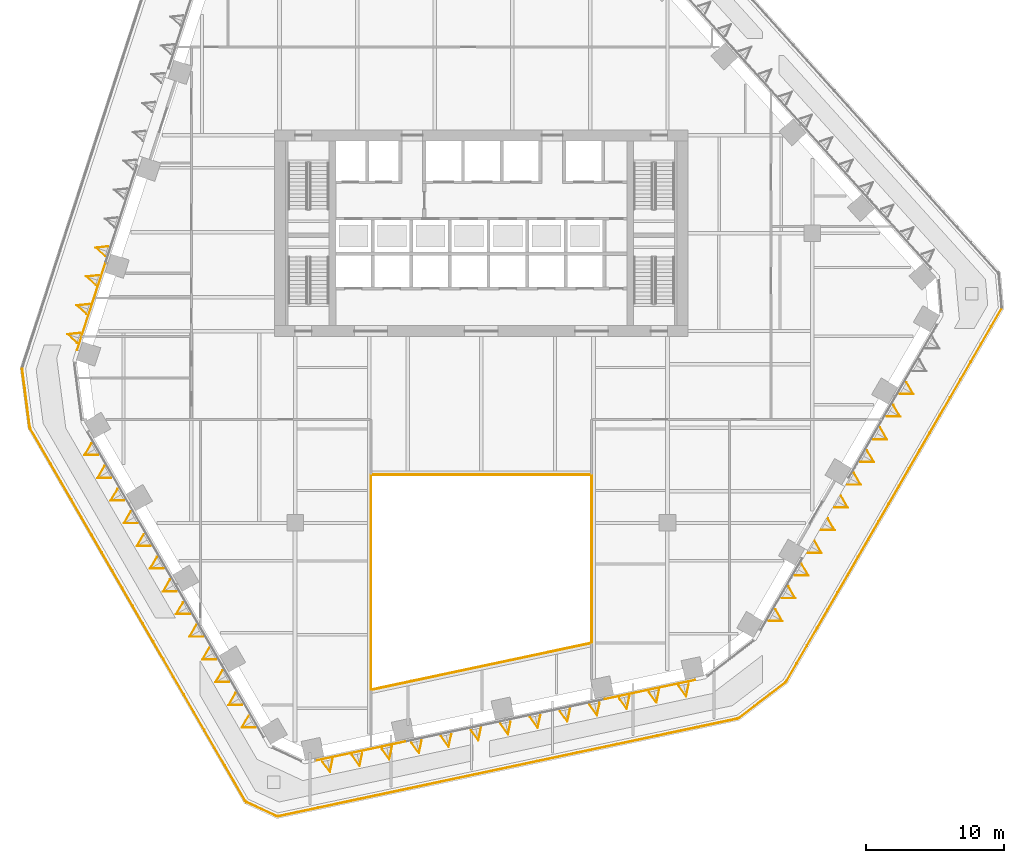
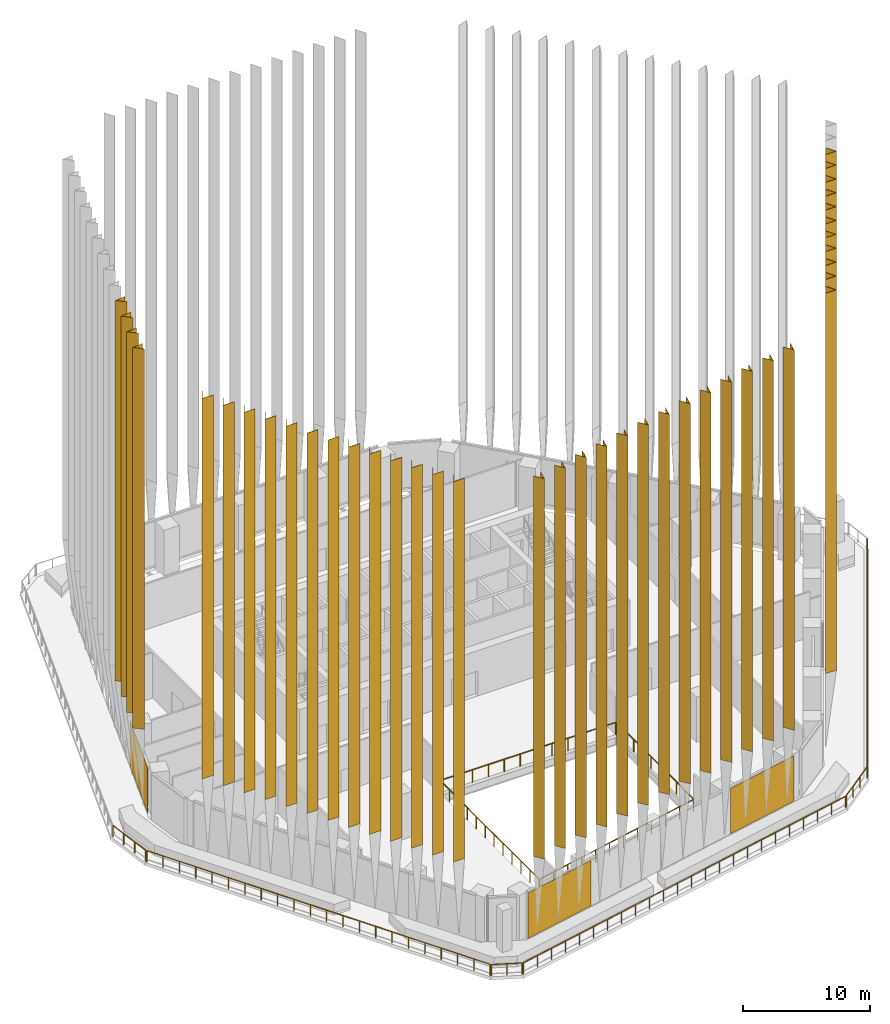
# One storey, part 17 of 27: 44 coverings, 10 railings, 2 elements without a shape of their own.
"""IFC4 building model written with IfcOpenShell, lengths in metres."""

from ifc_helpers import new_model, si_unit, direction, frame, origin, origin_2d, place, context, subcontext, project, spatial, polyline, rectangle, circle, outline, extrude, material, layer, layer_set, material_profile, profile_set, type_object, element, aggregate, save


model = new_model("IFC4")

# Units and contexts
model_context = context("Model", 3, precision=1e-05, world=origin(), true_north=direction((0.0, 1.0)))
body_context = subcontext(model_context, "Body", "Model", "MODEL_VIEW")
ifc_project = project(units=[si_unit("LENGTHUNIT", "METRE"), si_unit("AREAUNIT", "SQUARE_METRE"), si_unit("VOLUMEUNIT", "CUBIC_METRE"), si_unit("PLANEANGLEUNIT", "RADIAN"), si_unit("MASSUNIT", "GRAM", prefix="KILO")], contexts=[model_context])

# Site, building, storey
site_placement = place(None, origin())
site = spatial("IfcSite", under=ifc_project, at=site_placement, CompositionType="ELEMENT")
building_placement = place(site_placement, origin())
building = spatial("IfcBuilding", under=site, at=building_placement, Name="Isthmus Gate Tower", CompositionType="ELEMENT")
storey_placement = place(building_placement, frame((0.0, 0.0, 121.64990234375)))
storey = spatial("IfcBuildingStorey", under=building, at=storey_placement, Name="L29", CompositionType="ELEMENT", Elevation=121.64990234375)

# Railings
ifc_material_1 = material(Name="Toughened laminated glass with stainless steel handrail", Category="steel")
railing_type_1 = type_object("IfcRailingType", Name="Atrium glass guard 1200", PredefinedType="GUARDRAIL", material=ifc_material_1)
railing_1_placement = place(storey_placement, frame((-7.951171875, -25.6005859375, 0.0)))
element("IfcRailing", 1, at=railing_1_placement, inside=storey, type_object=railing_type_1, Name="L29 atrium glass guard 1", PredefinedType="GUARDRAIL", context=body_context, shape_type="SweptSolid", body=[
    extrude(circle(Radius=0.030029296875, at=origin_2d()), frame((0.0, 0.0, 1.169921875), z_axis=(0.978150911752, 0.207896113091, 0.0), x_axis=(-0.207896113091, 0.978150911752, 0.0)), (0.0, 0.0, 1.0), 16.257568359375),
    extrude(circle(Radius=0.02490234375, at=origin_2d()), origin(), (0.0, 0.0, 1.0), 1.139892578125),
    extrude(circle(Radius=0.02490234375, at=origin_2d()), frame((1.445556640625, 0.307373046875, 0.0)), (0.0, 0.0, 1.0), 1.139892578125),
    extrude(circle(Radius=0.02490234375, at=origin_2d()), frame((2.891357421875, 0.614501953125, 0.0)), (0.0, 0.0, 1.0), 1.139892578125),
    extrude(circle(Radius=0.02490234375, at=origin_2d()), frame((4.3369140625, 0.921875, 0.0)), (0.0, 0.0, 1.0), 1.139892578125),
    extrude(circle(Radius=0.02490234375, at=origin_2d()), frame((5.78271484375, 1.22900390625, 0.0)), (0.0, 0.0, 1.0), 1.139892578125),
    extrude(circle(Radius=0.02490234375, at=origin_2d()), frame((7.228271484375, 1.536376953125, 0.0)), (0.0, 0.0, 1.0), 1.139892578125),
    extrude(circle(Radius=0.02490234375, at=origin_2d()), frame((8.674072265625, 1.843505859375, 0.0)), (0.0, 0.0, 1.0), 1.139892578125),
    extrude(circle(Radius=0.02490234375, at=origin_2d()), frame((10.11962890625, 2.15087890625, 0.0)), (0.0, 0.0, 1.0), 1.139892578125),
    extrude(circle(Radius=0.02490234375, at=origin_2d()), frame((11.5654296875, 2.4580078125, 0.0)), (0.0, 0.0, 1.0), 1.139892578125),
    extrude(circle(Radius=0.02490234375, at=origin_2d()), frame((13.010986328125, 2.765380859375, 0.0)), (0.0, 0.0, 1.0), 1.139892578125),
    extrude(circle(Radius=0.02490234375, at=origin_2d()), frame((14.456787109375, 3.072509765625, 0.0)), (0.0, 0.0, 1.0), 1.139892578125),
    extrude(circle(Radius=0.02490234375, at=origin_2d()), frame((15.90234375, 3.3798828125, 0.0)), (0.0, 0.0, 1.0), 1.139892578125),
])
railing_2_placement = place(storey_placement, frame((8.0, -22.16015625, 0.0)))
element("IfcRailing", 2, at=railing_2_placement, inside=storey, type_object=railing_type_1, Name="L29 atrium glass guard 2", PredefinedType="GUARDRAIL", context=body_context, shape_type="SweptSolid", body=[
    extrude(circle(Radius=0.030029296875, at=origin_2d()), frame((0.0, 0.0, 1.169921875), z_axis=(0.0, 1.0, 0.0), x_axis=(-1.0, 0.0, 0.0)), (0.0, 0.0, 1.0), 12.110107421875),
    extrude(circle(Radius=0.02490234375, at=origin_2d()), origin(), (0.0, 0.0, 1.0), 1.139892578125),
    extrude(circle(Radius=0.02490234375, at=origin_2d()), frame((0.0, 1.345458984375, 0.0)), (0.0, 0.0, 1.0), 1.139892578125),
    extrude(circle(Radius=0.02490234375, at=origin_2d()), frame((0.0, 2.691162109375, 0.0)), (0.0, 0.0, 1.0), 1.139892578125),
    extrude(circle(Radius=0.02490234375, at=origin_2d()), frame((0.0, 4.03662109375, 0.0)), (0.0, 0.0, 1.0), 1.139892578125),
    extrude(circle(Radius=0.02490234375, at=origin_2d()), frame((0.0, 5.38232421875, 0.0)), (0.0, 0.0, 1.0), 1.139892578125),
    extrude(circle(Radius=0.02490234375, at=origin_2d()), frame((0.0, 6.727783203125, 0.0)), (0.0, 0.0, 1.0), 1.139892578125),
    extrude(circle(Radius=0.02490234375, at=origin_2d()), frame((0.0, 8.073486328125, 0.0)), (0.0, 0.0, 1.0), 1.139892578125),
    extrude(circle(Radius=0.02490234375, at=origin_2d()), frame((0.0, 9.4189453125, 0.0)), (0.0, 0.0, 1.0), 1.139892578125),
    extrude(circle(Radius=0.02490234375, at=origin_2d()), frame((0.0, 10.7646484375, 0.0)), (0.0, 0.0, 1.0), 1.139892578125),
    extrude(circle(Radius=0.02490234375, at=origin_2d()), frame((0.0, 12.110107421875, 0.0)), (0.0, 0.0, 1.0), 1.139892578125),
])
railing_3_placement = place(storey_placement, frame((7.949951171875, -10.0, 0.0)))
element("IfcRailing", 3, at=railing_3_placement, inside=storey, type_object=railing_type_1, Name="L29 atrium glass guard 3", PredefinedType="GUARDRAIL", context=body_context, shape_type="SweptSolid", body=[
    extrude(circle(Radius=0.030029296875, at=origin_2d()), frame((0.0, 0.0, 1.169921875), z_axis=(-1.0, 0.0, 0.0), x_axis=(0.0, -1.0, 0.0)), (0.0, 0.0, 1.0), 15.89990234375),
    extrude(circle(Radius=0.02490234375, at=origin_2d()), origin(), (0.0, 0.0, 1.0), 1.139892578125),
    extrude(circle(Radius=0.02490234375, at=origin_2d()), frame((-1.445556640625, 0.0, 0.0)), (0.0, 0.0, 1.0), 1.139892578125),
    extrude(circle(Radius=0.02490234375, at=origin_2d()), frame((-2.890869140625, 0.0, 0.0)), (0.0, 0.0, 1.0), 1.139892578125),
    extrude(circle(Radius=0.02490234375, at=origin_2d()), frame((-4.33642578125, 0.0, 0.0)), (0.0, 0.0, 1.0), 1.139892578125),
    extrude(circle(Radius=0.02490234375, at=origin_2d()), frame((-5.78173828125, 0.0, 0.0)), (0.0, 0.0, 1.0), 1.139892578125),
    extrude(circle(Radius=0.02490234375, at=origin_2d()), frame((-7.227294921875, 0.0, 0.0)), (0.0, 0.0, 1.0), 1.139892578125),
    extrude(circle(Radius=0.02490234375, at=origin_2d()), frame((-8.672607421875, 0.0, 0.0)), (0.0, 0.0, 1.0), 1.139892578125),
    extrude(circle(Radius=0.02490234375, at=origin_2d()), frame((-10.1181640625, 0.0, 0.0)), (0.0, 0.0, 1.0), 1.139892578125),
    extrude(circle(Radius=0.02490234375, at=origin_2d()), frame((-11.5634765625, 0.0, 0.0)), (0.0, 0.0, 1.0), 1.139892578125),
    extrude(circle(Radius=0.02490234375, at=origin_2d()), frame((-13.009033203125, 0.0, 0.0)), (0.0, 0.0, 1.0), 1.139892578125),
    extrude(circle(Radius=0.02490234375, at=origin_2d()), frame((-14.454345703125, 0.0, 0.0)), (0.0, 0.0, 1.0), 1.139892578125),
    extrude(circle(Radius=0.02490234375, at=origin_2d()), frame((-15.89990234375, 0.0, 0.0)), (0.0, 0.0, 1.0), 1.139892578125),
])
railing_4_placement = place(storey_placement, frame((-8.0, -10.050048828125, 0.0)))
element("IfcRailing", 4, at=railing_4_placement, inside=storey, type_object=railing_type_1, Name="L29 atrium glass guard 4", PredefinedType="GUARDRAIL", context=body_context, shape_type="SweptSolid", body=[
    extrude(circle(Radius=0.030029296875, at=origin_2d()), frame((0.0, 0.0, 1.169921875), z_axis=(0.0, -1.0, 0.0), x_axis=(1.0, 0.0, 0.0)), (0.0, 0.0, 1.0), 15.510986328125),
    extrude(circle(Radius=0.02490234375, at=origin_2d()), origin(), (0.0, 0.0, 1.0), 1.139892578125),
    extrude(circle(Radius=0.02490234375, at=origin_2d()), frame((0.0, -1.41015625, 0.0)), (0.0, 0.0, 1.0), 1.139892578125),
    extrude(circle(Radius=0.02490234375, at=origin_2d()), frame((0.0, -2.820068359375, 0.0)), (0.0, 0.0, 1.0), 1.139892578125),
    extrude(circle(Radius=0.02490234375, at=origin_2d()), frame((0.0, -4.230224609375, 0.0)), (0.0, 0.0, 1.0), 1.139892578125),
    extrude(circle(Radius=0.02490234375, at=origin_2d()), frame((0.0, -5.640380859375, 0.0)), (0.0, 0.0, 1.0), 1.139892578125),
    extrude(circle(Radius=0.02490234375, at=origin_2d()), frame((0.0, -7.050537109375, 0.0)), (0.0, 0.0, 1.0), 1.139892578125),
    extrude(circle(Radius=0.02490234375, at=origin_2d()), frame((0.0, -8.46044921875, 0.0)), (0.0, 0.0, 1.0), 1.139892578125),
    extrude(circle(Radius=0.02490234375, at=origin_2d()), frame((0.0, -9.87060546875, 0.0)), (0.0, 0.0, 1.0), 1.139892578125),
    extrude(circle(Radius=0.02490234375, at=origin_2d()), frame((0.0, -11.28076171875, 0.0)), (0.0, 0.0, 1.0), 1.139892578125),
    extrude(circle(Radius=0.02490234375, at=origin_2d()), frame((0.0, -12.69091796875, 0.0)), (0.0, 0.0, 1.0), 1.139892578125),
    extrude(circle(Radius=0.02490234375, at=origin_2d()), frame((0.0, -14.100830078125, 0.0)), (0.0, 0.0, 1.0), 1.139892578125),
    extrude(circle(Radius=0.02490234375, at=origin_2d()), frame((0.0, -15.510986328125, 0.0)), (0.0, 0.0, 1.0), 1.139892578125),
])

# Curtain wall, covering
ifc_material_2 = material(Name="Aluminium, pale champagne anodised", Category="aluminium")
ifc_layer_1 = layer(ifc_material_2, 0.199951171875)
ifc_layer_set_1 = layer_set([ifc_layer_1], Name="CW-1 UNITISED CURTAIN WALL 200 DEEP")
curtain_wall_type = type_object("IfcCurtainWallType", Name="CW-1 UNITISED CURTAIN WALL 200 DEEP", PredefinedType="NOTDEFINED", material=ifc_layer_set_1)
curtain_wall_1_placement = place(storey_placement, origin())
curtain_wall_1 = element("IfcCurtainWall", 5, at=curtain_wall_1_placement, inside=storey, type_object=curtain_wall_type, Name="CW-1 NW L29", PredefinedType="NOTDEFINED")
ifc_material_3 = material(Name="Aluminium composite panel, pale champagne anodised", Category="aluminium")
ifc_layer_2 = layer(ifc_material_3, 0.035888671875)
ifc_layer_set_2 = layer_set([ifc_layer_2], Name="CW-1 PALE METAL PANEL 36")
covering_type_1 = type_object("IfcCoveringType", Name="CW-1 PALE METAL PANEL 36", PredefinedType="CLADDING", material=ifc_layer_set_2)
covering_1_placement = place(storey_placement, frame((-28.28271484375, 2.173828125, 0.0), z_axis=(0.0, 0.0, 1.0), x_axis=(-0.309016994375, -0.951056516295, 0.0)))
covering_1 = element("IfcCovering", 6, at=covering_1_placement, type_object=covering_type_1, Name="CW-1 pale metal panel", PredefinedType="CLADDING", context=body_context, shape_type="SweptSolid", body=[
    extrude(rectangle(XDim=6.630859375, YDim=0.035888671875, at=origin_2d()), origin(), (0.0, 0.0, 1.0), 4.360107421875),
])
aggregate(curtain_wall_1, [covering_1])

# Curtain wall, coverings
curtain_wall_2_placement = place(storey_placement, origin())
curtain_wall_2 = element("IfcCurtainWall", 7, at=curtain_wall_2_placement, inside=storey, type_object=curtain_wall_type, Name="CW-1 S L29", PredefinedType="NOTDEFINED")
covering_2_placement = place(storey_placement, frame((-8.744384765625, -30.044677734375, 0.0), z_axis=(0.0, 0.0, 1.0), x_axis=(0.978147600734, 0.207911690818, 0.0)))
covering_2 = element("IfcCovering", 8, at=covering_2_placement, type_object=covering_type_1, Name="CW-1 pale metal panel", PredefinedType="CLADDING", context=body_context, shape_type="SweptSolid", body=[
    extrude(rectangle(XDim=6.630859375, YDim=0.035888671875, at=origin_2d()), origin(), (0.0, 0.0, 1.0), 4.360107421875),
])
covering_3_placement = place(storey_placement, frame((12.2294921875, -25.586669921875, 0.0), z_axis=(0.0, 0.0, 1.0), x_axis=(0.978147600734, 0.207911690818, 0.0)))
covering_3 = element("IfcCovering", 9, at=covering_3_placement, type_object=covering_type_1, Name="CW-1 pale metal panel", PredefinedType="CLADDING", context=body_context, shape_type="SweptSolid", body=[
    extrude(rectangle(XDim=6.690673828125, YDim=0.035888671875, at=origin_2d()), origin(), (0.0, 0.0, 1.0), 4.360107421875),
])
aggregate(curtain_wall_2, [covering_2, covering_3])

# Coverings
ifc_material_4 = material(Name="Structural steel ASTM A572 Gr 50, white paint system", Category="steel")
ifc_material_profile_1 = material_profile(ifc_material_4, outline(polyline([(0.0, -0.391845703125), (0.8798828125, 0.0), (0.0, 0.391845703125), (0.0, 0.35888671875), (0.80615234375, 0.0), (0.0, -0.35888671875), (0.0, -0.391845703125)])), Name="V880")
ifc_profile_set_1 = profile_set([ifc_material_profile_1], Name="Structural steel ASTM A572 Gr 50, white paint system")
covering_type_2 = type_object("IfcCoveringType", Name="FIN V 880 DEEP", PredefinedType="CLADDING", material=ifc_profile_set_1)
for number, where, z_axis, x_axis, name in (
    (10, (-27.155029296875, 6.18798828125, 7.75), (0.0, 0.0, 1.0), (-0.951056516295, 0.309016994375, 0.0), "FIN"),
    (11, (-27.834716796875, 4.095703125, 7.75), (0.0, 0.0, 1.0), (-0.951056516295, 0.309016994375, 0.0), "FIN"),
    (12, (-28.5146484375, 2.00341796875, 7.75), (0.0, 0.0, 1.0), (-0.951056516295, 0.309016994375, 0.0), "FIN"),
    (13, (-29.194580078125, -0.0888671875, 7.75), (0.0, 0.0, 1.0), (-0.951056516295, 0.309016994375, 0.0), "FIN"),
    (14, (-11.148681640625, -30.7275390625, 7.75), (0.0, 0.0, 1.0), (0.207911690818, -0.978147600734, 0.0), "FIN"),
    (15, (-8.996826171875, -30.270263671875, 7.75), (0.0, 0.0, 1.0), (0.207911690818, -0.978147600734, 0.0), "FIN"),
    (16, (-6.844970703125, -29.812744140625, 7.75), (0.0, 0.0, 1.0), (0.207911690818, -0.978147600734, 0.0), "FIN"),
    (17, (-4.693115234375, -29.35546875, 7.75), (0.0, 0.0, 1.0), (0.207911690818, -0.978147600734, 0.0), "FIN"),
    (18, (-2.541015625, -28.89794921875, 7.75), (0.0, 0.0, 1.0), (0.207911690818, -0.978147600734, 0.0), "FIN"),
    (19, (-0.38916015625, -28.4404296875, 7.75), (0.0, 0.0, 1.0), (0.207911690818, -0.978147600734, 0.0), "FIN"),
    (20, (1.7626953125, -27.983154296875, 7.75), (0.0, 0.0, 1.0), (0.207911690818, -0.978147600734, 0.0), "FIN"),
    (21, (3.914794921875, -27.525634765625, 7.75), (0.0, 0.0, 1.0), (0.207911690818, -0.978147600734, 0.0), "FIN"),
    (22, (6.066650390625, -27.068359375, 7.75), (0.0, 0.0, 1.0), (0.207911690818, -0.978147600734, 0.0), "FIN"),
    (23, (8.218505859375, -26.61083984375, 7.75), (0.0, 0.0, 1.0), (0.207911690818, -0.978147600734, 0.0), "FIN"),
    (24, (10.370361328125, -26.153564453125, 7.75), (0.0, 0.0, 1.0), (0.207911690818, -0.978147600734, 0.0), "FIN"),
    (25, (12.5224609375, -25.696044921875, 7.75), (0.0, 0.0, 1.0), (0.207911690818, -0.978147600734, 0.0), "FIN"),
    (26, (14.67431640625, -25.23876953125, 7.75), (0.0, 0.0, 1.0), (0.207911690818, -0.978147600734, 0.0), "FIN"),
):
    element("IfcCovering", number, at=place(storey_placement, frame(where, z_axis=z_axis, x_axis=x_axis)), inside=storey, type_object=covering_type_2, Name=name, ObjectType="FIN", PredefinedType="CLADDING", context=body_context, shape_type="SweptSolid", body=[
        extrude(outline(polyline([(0.0, -0.391845703125), (0.8798828125, 0.0), (0.0, 0.391845703125), (0.0, 0.35888671875), (0.80615234375, 0.0), (0.0, -0.35888671875), (0.0, -0.391845703125)])), origin(), (0.0, 0.0, 1.0), 36.5),
    ])
ifc_material_5 = material(Name="Structural steel ASTM A572 Gr 50, white paint system", Category="steel")
ifc_material_profile_2 = material_profile(ifc_material_5, outline(polyline([(0.0, -0.508056640625), (0.8798828125, 0.0), (0.0, 0.508056640625), (0.0, 0.473388671875), (0.820068359375, 0.0), (0.0, -0.473388671875), (0.0, -0.508056640625)])), Name="V880W")
ifc_profile_set_2 = profile_set([ifc_material_profile_2], Name="Structural steel ASTM A572 Gr 50, white paint system")
covering_type_3 = type_object("IfcCoveringType", Name="FIN V 880 DEEP WIDE", PredefinedType="CLADDING", material=ifc_profile_set_2)
for number, where, z_axis, x_axis, name in (
    (27, (-28.02099609375, -8.166259765625, 7.75), (0.0, 0.0, 1.0), (-0.866025403784, -0.5, 0.0), "FIN"),
    (28, (-27.071044921875, -9.811767578125, 7.75), (0.0, 0.0, 1.0), (-0.866025403784, -0.5, 0.0), "FIN"),
    (29, (-26.120849609375, -11.457275390625, 7.75), (0.0, 0.0, 1.0), (-0.866025403784, -0.5, 0.0), "FIN"),
    (30, (-25.1708984375, -13.1025390625, 7.75), (0.0, 0.0, 1.0), (-0.866025403784, -0.5, 0.0), "FIN"),
    (31, (-24.220947265625, -14.748046875, 7.75), (0.0, 0.0, 1.0), (-0.866025403784, -0.5, 0.0), "FIN"),
    (32, (-23.27099609375, -16.3935546875, 7.75), (0.0, 0.0, 1.0), (-0.866025403784, -0.5, 0.0), "FIN"),
    (33, (-22.321044921875, -18.0390625, 7.75), (0.0, 0.0, 1.0), (-0.866025403784, -0.5, 0.0), "FIN"),
    (34, (-21.370849609375, -19.684326171875, 7.75), (0.0, 0.0, 1.0), (-0.866025403784, -0.5, 0.0), "FIN"),
    (35, (-20.4208984375, -21.329833984375, 7.75), (0.0, 0.0, 1.0), (-0.866025403784, -0.5, 0.0), "FIN"),
    (36, (-19.470947265625, -22.975341796875, 7.75), (0.0, 0.0, 1.0), (-0.866025403784, -0.5, 0.0), "FIN"),
    (37, (-18.52099609375, -24.620849609375, 7.75), (0.0, 0.0, 1.0), (-0.866025403784, -0.5, 0.0), "FIN"),
    (38, (-17.571044921875, -26.26611328125, 7.75), (0.0, 0.0, 1.0), (-0.866025403784, -0.5, 0.0), "FIN"),
    (39, (-16.620849609375, -27.91162109375, 7.75), (0.0, 0.0, 1.0), (-0.866025403784, -0.5, 0.0), "FIN"),
    (40, (21.082763671875, -20.183837890625, 7.75), (0.0, 0.0, 1.0), (0.866025403784, -0.5, 0.0), "FIN"),
    (41, (22.03271484375, -18.538330078125, 7.75), (0.0, 0.0, 1.0), (0.866025403784, -0.5, 0.0), "FIN"),
    (42, (22.982666015625, -16.892822265625, 7.75), (0.0, 0.0, 1.0), (0.866025403784, -0.5, 0.0), "FIN"),
    (43, (23.9326171875, -15.247314453125, 7.75), (0.0, 0.0, 1.0), (0.866025403784, -0.5, 0.0), "FIN"),
    (44, (24.882568359375, -13.60205078125, 7.75), (0.0, 0.0, 1.0), (0.866025403784, -0.5, 0.0), "FIN"),
    (45, (25.832763671875, -11.95654296875, 7.75), (0.0, 0.0, 1.0), (0.866025403784, -0.5, 0.0), "FIN"),
    (46, (26.78271484375, -10.31103515625, 7.75), (0.0, 0.0, 1.0), (0.866025403784, -0.5, 0.0), "FIN"),
    (47, (27.732666015625, -8.66552734375, 7.75), (0.0, 0.0, 1.0), (0.866025403784, -0.5, 0.0), "FIN"),
    (48, (28.6826171875, -7.020263671875, 7.75), (0.0, 0.0, 1.0), (0.866025403784, -0.5, 0.0), "FIN"),
    (49, (29.632568359375, -5.374755859375, 7.75), (0.0, 0.0, 1.0), (0.866025403784, -0.5, 0.0), "FIN"),
    (50, (30.582763671875, -3.729248046875, 7.75), (0.0, 0.0, 1.0), (0.866025403784, -0.5, 0.0), "FIN"),
):
    element("IfcCovering", number, at=place(storey_placement, frame(where, z_axis=z_axis, x_axis=x_axis)), inside=storey, type_object=covering_type_3, Name=name, ObjectType="FIN", PredefinedType="CLADDING", context=body_context, shape_type="SweptSolid", body=[
        extrude(outline(polyline([(0.0, -0.508056640625), (0.8798828125, 0.0), (0.0, 0.508056640625), (0.0, 0.473388671875), (0.820068359375, 0.0), (0.0, -0.473388671875), (0.0, -0.508056640625)])), origin(), (0.0, 0.0, 1.0), 36.5),
    ])

# Railings
ifc_material_6 = material(Name="Stainless steel posts and toughened laminated glass", Category="steel")
railing_type_2 = type_object("IfcRailingType", Name="GUARD 1100 LEDGE GLASS", PredefinedType="GUARDRAIL", material=ifc_material_6)
railing_5_placement = place(storey_placement, frame((37.71240234375, 2.019775390625, 0.0)))
element("IfcRailing", 51, at=railing_5_placement, inside=storey, type_object=railing_type_2, Name="LEDGE GUARD", PredefinedType="GUARDRAIL", context=body_context, shape_type="SweptSolid", body=[
    extrude(circle(Radius=0.02490234375, at=origin_2d()), frame((0.0, 0.0, 1.0751953125), z_axis=(-0.499997206376, -0.866027016678, 0.0), x_axis=(0.866027016678, -0.499997206376, 0.0)), (0.0, 0.0, 1.0), 31.177490234375),
    extrude(circle(Radius=0.02490234375, at=origin_2d()), origin(), (0.0, 0.0, 1.0), 1.050048828125),
    extrude(circle(Radius=0.02490234375, at=origin_2d()), frame((-0.742431640625, -1.28564453125, 0.0)), (0.0, 0.0, 1.0), 1.050048828125),
    extrude(circle(Radius=0.02490234375, at=origin_2d()), frame((-1.484619140625, -2.571533203125, 0.0)), (0.0, 0.0, 1.0), 1.050048828125),
    extrude(circle(Radius=0.02490234375, at=origin_2d()), frame((-2.22705078125, -3.857177734375, 0.0)), (0.0, 0.0, 1.0), 1.050048828125),
    extrude(circle(Radius=0.02490234375, at=origin_2d()), frame((-2.96923828125, -5.14306640625, 0.0)), (0.0, 0.0, 1.0), 1.050048828125),
    extrude(circle(Radius=0.02490234375, at=origin_2d()), frame((-3.711669921875, -6.4287109375, 0.0)), (0.0, 0.0, 1.0), 1.050048828125),
    extrude(circle(Radius=0.02490234375, at=origin_2d()), frame((-4.453857421875, -7.71435546875, 0.0)), (0.0, 0.0, 1.0), 1.050048828125),
    extrude(circle(Radius=0.02490234375, at=origin_2d()), frame((-5.1962890625, -9.000244140625, 0.0)), (0.0, 0.0, 1.0), 1.050048828125),
    extrude(circle(Radius=0.02490234375, at=origin_2d()), frame((-5.9384765625, -10.285888671875, 0.0)), (0.0, 0.0, 1.0), 1.050048828125),
    extrude(circle(Radius=0.02490234375, at=origin_2d()), frame((-6.680908203125, -11.571533203125, 0.0)), (0.0, 0.0, 1.0), 1.050048828125),
    extrude(circle(Radius=0.02490234375, at=origin_2d()), frame((-7.423095703125, -12.857421875, 0.0)), (0.0, 0.0, 1.0), 1.050048828125),
    extrude(circle(Radius=0.02490234375, at=origin_2d()), frame((-8.16552734375, -14.14306640625, 0.0)), (0.0, 0.0, 1.0), 1.050048828125),
    extrude(circle(Radius=0.02490234375, at=origin_2d()), frame((-8.90771484375, -15.428955078125, 0.0)), (0.0, 0.0, 1.0), 1.050048828125),
    extrude(circle(Radius=0.02490234375, at=origin_2d()), frame((-9.650146484375, -16.714599609375, 0.0)), (0.0, 0.0, 1.0), 1.050048828125),
    extrude(circle(Radius=0.02490234375, at=origin_2d()), frame((-10.392333984375, -18.000244140625, 0.0)), (0.0, 0.0, 1.0), 1.050048828125),
    extrude(circle(Radius=0.02490234375, at=origin_2d()), frame((-11.134765625, -19.2861328125, 0.0)), (0.0, 0.0, 1.0), 1.050048828125),
    extrude(circle(Radius=0.02490234375, at=origin_2d()), frame((-11.876953125, -20.57177734375, 0.0)), (0.0, 0.0, 1.0), 1.050048828125),
    extrude(circle(Radius=0.02490234375, at=origin_2d()), frame((-12.619384765625, -21.857421875, 0.0)), (0.0, 0.0, 1.0), 1.050048828125),
    extrude(circle(Radius=0.02490234375, at=origin_2d()), frame((-13.361572265625, -23.143310546875, 0.0)), (0.0, 0.0, 1.0), 1.050048828125),
    extrude(circle(Radius=0.02490234375, at=origin_2d()), frame((-14.10400390625, -24.428955078125, 0.0)), (0.0, 0.0, 1.0), 1.050048828125),
    extrude(circle(Radius=0.02490234375, at=origin_2d()), frame((-14.84619140625, -25.71484375, 0.0)), (0.0, 0.0, 1.0), 1.050048828125),
    extrude(circle(Radius=0.02490234375, at=origin_2d()), frame((-15.588623046875, -27.00048828125, 0.0)), (0.0, 0.0, 1.0), 1.050048828125),
])
railing_6_placement = place(storey_placement, frame((22.046142578125, -25.069091796875, 0.0)))
element("IfcRailing", 52, at=railing_6_placement, inside=storey, type_object=railing_type_2, Name="LEDGE GUARD", PredefinedType="GUARDRAIL", context=body_context, shape_type="SweptSolid", body=[
    extrude(circle(Radius=0.02490234375, at=origin_2d()), frame((0.0, 0.0, 1.0751953125), z_axis=(-0.794207445663, -0.607646717471, 0.0), x_axis=(0.607646717471, -0.794207445663, 0.0)), (0.0, 0.0, 1.0), 4.239990234375),
    extrude(circle(Radius=0.02490234375, at=origin_2d()), origin(), (0.0, 0.0, 1.0), 1.050048828125),
    extrude(circle(Radius=0.02490234375, at=origin_2d()), frame((-1.12255859375, -0.85888671875, 0.0)), (0.0, 0.0, 1.0), 1.050048828125),
    extrude(circle(Radius=0.02490234375, at=origin_2d()), frame((-2.244873046875, -1.717529296875, 0.0)), (0.0, 0.0, 1.0), 1.050048828125),
    extrude(circle(Radius=0.02490234375, at=origin_2d()), frame((-3.367431640625, -2.576416015625, 0.0)), (0.0, 0.0, 1.0), 1.050048828125),
])
railing_7_placement = place(storey_placement, frame((18.572265625, -27.694580078125, 0.0)))
element("IfcRailing", 53, at=railing_7_placement, inside=storey, type_object=railing_type_2, Name="LEDGE GUARD", PredefinedType="GUARDRAIL", context=body_context, shape_type="SweptSolid", body=[
    extrude(circle(Radius=0.02490234375, at=origin_2d()), frame((0.0, 0.0, 1.0751953125), z_axis=(-0.978147840416, -0.2079105632, 0.0), x_axis=(0.2079105632, -0.978147840416, 0.0)), (0.0, 0.0, 1.0), 34.041748046875),
    extrude(circle(Radius=0.02490234375, at=origin_2d()), origin(), (0.0, 0.0, 1.0), 1.050048828125),
    extrude(circle(Radius=0.02490234375, at=origin_2d()), frame((-1.44775390625, -0.3076171875, 0.0)), (0.0, 0.0, 1.0), 1.050048828125),
    extrude(circle(Radius=0.02490234375, at=origin_2d()), frame((-2.8955078125, -0.615478515625, 0.0)), (0.0, 0.0, 1.0), 1.050048828125),
    extrude(circle(Radius=0.02490234375, at=origin_2d()), frame((-4.34326171875, -0.923095703125, 0.0)), (0.0, 0.0, 1.0), 1.050048828125),
    extrude(circle(Radius=0.02490234375, at=origin_2d()), frame((-5.791015625, -1.23095703125, 0.0)), (0.0, 0.0, 1.0), 1.050048828125),
    extrude(circle(Radius=0.02490234375, at=origin_2d()), frame((-7.23876953125, -1.53857421875, 0.0)), (0.0, 0.0, 1.0), 1.050048828125),
    extrude(circle(Radius=0.02490234375, at=origin_2d()), frame((-8.686279296875, -1.846435546875, 0.0)), (0.0, 0.0, 1.0), 1.050048828125),
    extrude(circle(Radius=0.02490234375, at=origin_2d()), frame((-10.134033203125, -2.154052734375, 0.0)), (0.0, 0.0, 1.0), 1.050048828125),
    extrude(circle(Radius=0.02490234375, at=origin_2d()), frame((-11.581787109375, -2.461669921875, 0.0)), (0.0, 0.0, 1.0), 1.050048828125),
    extrude(circle(Radius=0.02490234375, at=origin_2d()), frame((-13.029541015625, -2.76953125, 0.0)), (0.0, 0.0, 1.0), 1.050048828125),
    extrude(circle(Radius=0.02490234375, at=origin_2d()), frame((-14.477294921875, -3.0771484375, 0.0)), (0.0, 0.0, 1.0), 1.050048828125),
    extrude(circle(Radius=0.02490234375, at=origin_2d()), frame((-15.925048828125, -3.385009765625, 0.0)), (0.0, 0.0, 1.0), 1.050048828125),
    extrude(circle(Radius=0.02490234375, at=origin_2d()), frame((-17.372802734375, -3.692626953125, 0.0)), (0.0, 0.0, 1.0), 1.050048828125),
    extrude(circle(Radius=0.02490234375, at=origin_2d()), frame((-18.820556640625, -4.00048828125, 0.0)), (0.0, 0.0, 1.0), 1.050048828125),
    extrude(circle(Radius=0.02490234375, at=origin_2d()), frame((-20.268310546875, -4.30810546875, 0.0)), (0.0, 0.0, 1.0), 1.050048828125),
    extrude(circle(Radius=0.02490234375, at=origin_2d()), frame((-21.716064453125, -4.615966796875, 0.0)), (0.0, 0.0, 1.0), 1.050048828125),
    extrude(circle(Radius=0.02490234375, at=origin_2d()), frame((-23.163818359375, -4.923583984375, 0.0)), (0.0, 0.0, 1.0), 1.050048828125),
    extrude(circle(Radius=0.02490234375, at=origin_2d()), frame((-24.611572265625, -5.231201171875, 0.0)), (0.0, 0.0, 1.0), 1.050048828125),
    extrude(circle(Radius=0.02490234375, at=origin_2d()), frame((-26.05908203125, -5.5390625, 0.0)), (0.0, 0.0, 1.0), 1.050048828125),
    extrude(circle(Radius=0.02490234375, at=origin_2d()), frame((-27.5068359375, -5.8466796875, 0.0)), (0.0, 0.0, 1.0), 1.050048828125),
    extrude(circle(Radius=0.02490234375, at=origin_2d()), frame((-28.95458984375, -6.154541015625, 0.0)), (0.0, 0.0, 1.0), 1.050048828125),
    extrude(circle(Radius=0.02490234375, at=origin_2d()), frame((-30.40234375, -6.462158203125, 0.0)), (0.0, 0.0, 1.0), 1.050048828125),
    extrude(circle(Radius=0.02490234375, at=origin_2d()), frame((-31.85009765625, -6.77001953125, 0.0)), (0.0, 0.0, 1.0), 1.050048828125),
    extrude(circle(Radius=0.02490234375, at=origin_2d()), frame((-33.2978515625, -7.07763671875, 0.0)), (0.0, 0.0, 1.0), 1.050048828125),
])
railing_8_placement = place(storey_placement, frame((-14.838623046875, -34.759521484375, 0.0)))
element("IfcRailing", 54, at=railing_8_placement, inside=storey, type_object=railing_type_2, Name="LEDGE GUARD", PredefinedType="GUARDRAIL", context=body_context, shape_type="SweptSolid", body=[
    extrude(circle(Radius=0.02490234375, at=origin_2d()), frame((0.0, 0.0, 1.0751953125), z_axis=(-0.907242647188, 0.420607630843, 0.0), x_axis=(-0.420607630843, -0.907242647188, 0.0)), (0.0, 0.0, 1.0), 2.4072265625),
    extrude(circle(Radius=0.02490234375, at=origin_2d()), origin(), (0.0, 0.0, 1.0), 1.050048828125),
    extrude(circle(Radius=0.02490234375, at=origin_2d()), frame((-1.091796875, 0.50634765625, 0.0)), (0.0, 0.0, 1.0), 1.050048828125),
    extrude(circle(Radius=0.02490234375, at=origin_2d()), frame((-2.183837890625, 1.012451171875, 0.0)), (0.0, 0.0, 1.0), 1.050048828125),
])
railing_9_placement = place(storey_placement, frame((-17.10693359375, -33.669921875, 0.0)))
element("IfcRailing", 55, at=railing_9_placement, inside=storey, type_object=railing_type_2, Name="LEDGE GUARD", PredefinedType="GUARDRAIL", context=body_context, shape_type="SweptSolid", body=[
    extrude(circle(Radius=0.02490234375, at=origin_2d()), frame((0.0, 0.0, 1.0751953125), z_axis=(-0.500003079378, 0.866023625897, 0.0), x_axis=(-0.866023625897, -0.500003079378, 0.0)), (0.0, 0.0, 1.0), 31.177490234375),
    extrude(circle(Radius=0.02490234375, at=origin_2d()), origin(), (0.0, 0.0, 1.0), 1.050048828125),
    extrude(circle(Radius=0.02490234375, at=origin_2d()), frame((-0.742431640625, 1.28564453125, 0.0)), (0.0, 0.0, 1.0), 1.050048828125),
    extrude(circle(Radius=0.02490234375, at=origin_2d()), frame((-1.484619140625, 2.571533203125, 0.0)), (0.0, 0.0, 1.0), 1.050048828125),
    extrude(circle(Radius=0.02490234375, at=origin_2d()), frame((-2.22705078125, 3.857177734375, 0.0)), (0.0, 0.0, 1.0), 1.050048828125),
    extrude(circle(Radius=0.02490234375, at=origin_2d()), frame((-2.96923828125, 5.14306640625, 0.0)), (0.0, 0.0, 1.0), 1.050048828125),
    extrude(circle(Radius=0.02490234375, at=origin_2d()), frame((-3.711669921875, 6.4287109375, 0.0)), (0.0, 0.0, 1.0), 1.050048828125),
    extrude(circle(Radius=0.02490234375, at=origin_2d()), frame((-4.453857421875, 7.71435546875, 0.0)), (0.0, 0.0, 1.0), 1.050048828125),
    extrude(circle(Radius=0.02490234375, at=origin_2d()), frame((-5.1962890625, 9.000244140625, 0.0)), (0.0, 0.0, 1.0), 1.050048828125),
    extrude(circle(Radius=0.02490234375, at=origin_2d()), frame((-5.938720703125, 10.285888671875, 0.0)), (0.0, 0.0, 1.0), 1.050048828125),
    extrude(circle(Radius=0.02490234375, at=origin_2d()), frame((-6.680908203125, 11.571533203125, 0.0)), (0.0, 0.0, 1.0), 1.050048828125),
    extrude(circle(Radius=0.02490234375, at=origin_2d()), frame((-7.42333984375, 12.857421875, 0.0)), (0.0, 0.0, 1.0), 1.050048828125),
    extrude(circle(Radius=0.02490234375, at=origin_2d()), frame((-8.16552734375, 14.14306640625, 0.0)), (0.0, 0.0, 1.0), 1.050048828125),
    extrude(circle(Radius=0.02490234375, at=origin_2d()), frame((-8.907958984375, 15.428955078125, 0.0)), (0.0, 0.0, 1.0), 1.050048828125),
    extrude(circle(Radius=0.02490234375, at=origin_2d()), frame((-9.650146484375, 16.714599609375, 0.0)), (0.0, 0.0, 1.0), 1.050048828125),
    extrude(circle(Radius=0.02490234375, at=origin_2d()), frame((-10.392578125, 18.000244140625, 0.0)), (0.0, 0.0, 1.0), 1.050048828125),
    extrude(circle(Radius=0.02490234375, at=origin_2d()), frame((-11.135009765625, 19.2861328125, 0.0)), (0.0, 0.0, 1.0), 1.050048828125),
    extrude(circle(Radius=0.02490234375, at=origin_2d()), frame((-11.877197265625, 20.57177734375, 0.0)), (0.0, 0.0, 1.0), 1.050048828125),
    extrude(circle(Radius=0.02490234375, at=origin_2d()), frame((-12.61962890625, 21.857421875, 0.0)), (0.0, 0.0, 1.0), 1.050048828125),
    extrude(circle(Radius=0.02490234375, at=origin_2d()), frame((-13.36181640625, 23.143310546875, 0.0)), (0.0, 0.0, 1.0), 1.050048828125),
    extrude(circle(Radius=0.02490234375, at=origin_2d()), frame((-14.104248046875, 24.428955078125, 0.0)), (0.0, 0.0, 1.0), 1.050048828125),
    extrude(circle(Radius=0.02490234375, at=origin_2d()), frame((-14.846435546875, 25.71484375, 0.0)), (0.0, 0.0, 1.0), 1.050048828125),
    extrude(circle(Radius=0.02490234375, at=origin_2d()), frame((-15.5888671875, 27.00048828125, 0.0)), (0.0, 0.0, 1.0), 1.050048828125),
])
railing_10_placement = place(storey_placement, frame((-32.7333984375, -6.557861328125, 0.0)))
element("IfcRailing", 56, at=railing_10_placement, inside=storey, type_object=railing_type_2, Name="LEDGE GUARD", PredefinedType="GUARDRAIL", context=body_context, shape_type="SweptSolid", body=[
    extrude(circle(Radius=0.02490234375, at=origin_2d()), frame((0.0, 0.0, 1.0751953125), z_axis=(-0.129157016435, 0.991624155164, 0.0), x_axis=(-0.991624155164, -0.129157016435, 0.0)), (0.0, 0.0, 1.0), 4.23974609375),
    extrude(circle(Radius=0.02490234375, at=origin_2d()), origin(), (0.0, 0.0, 1.0), 1.050048828125),
    extrude(circle(Radius=0.02490234375, at=origin_2d()), frame((-0.1826171875, 1.4013671875, 0.0)), (0.0, 0.0, 1.0), 1.050048828125),
    extrude(circle(Radius=0.02490234375, at=origin_2d()), frame((-0.364990234375, 2.802978515625, 0.0)), (0.0, 0.0, 1.0), 1.050048828125),
    extrude(circle(Radius=0.02490234375, at=origin_2d()), frame((-0.547607421875, 4.204345703125, 0.0)), (0.0, 0.0, 1.0), 1.050048828125),
])

save(model, "model.ifc")
